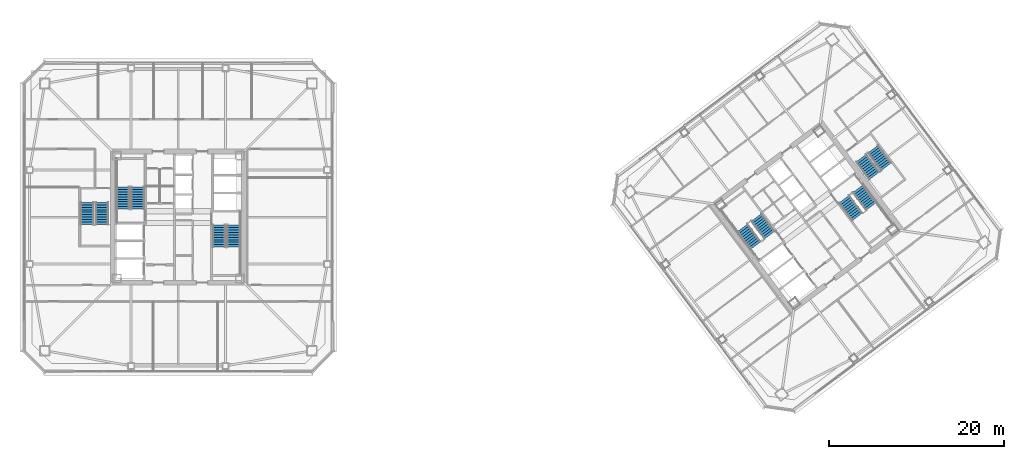
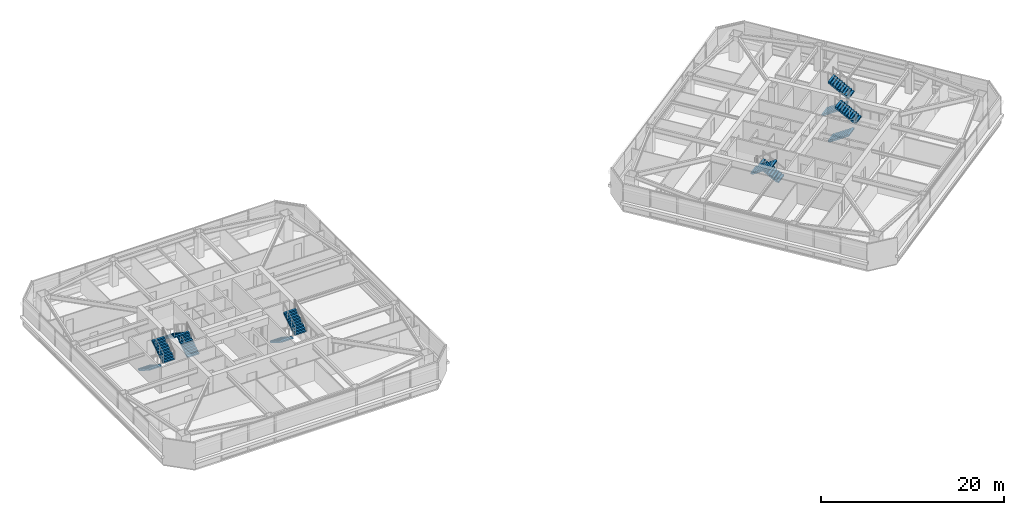
# One storey, part 37 of 43: 12 stair flights, 6 elements without a shape of their own.
"""IFC4 building model written with IfcOpenShell, lengths in metres."""

import ifcopenshell
import ifcopenshell.guid

model = None  # the IFC model being written
_history = None  # IfcOwnerHistory: only IFC2X3 demands one
_inside = {}  # id of a spatial element -> (the spatial element, [elements in it])
_under = {}  # id of a project, library or spatial element -> (it, [spatial elements below it])
_declared = {}  # id of a project -> (the project, [libraries it declares])
_typed = {}  # id of a type object -> (the type object, [elements of that type])
_made_of = {}  # id of a material, layer set ... -> (it, [elements and type objects made of it])


def new_model(schema):
    """Start an empty IFC model of exactly this schema.

    Asked for "IFC4X3", IfcOpenShell would pick the latest addendum, in which some entities
    have other attributes; the version numbers below select the first issue.
    IFC2X3 requires an IfcOwnerHistory on every rooted entity: one is made here for all.
    """
    global model, _history
    if schema == "IFC4X3":
        model = ifcopenshell.file(schema_version=(4, 3, 0, 0))
    else:
        model = ifcopenshell.file(schema=schema)
    _inside.clear()
    _under.clear()
    _declared.clear()
    _typed.clear()
    _made_of.clear()
    _history = None
    if model.schema == "IFC2X3":
        org = make("IfcOrganization", Name="unknown")
        user = make(
            "IfcPersonAndOrganization",
            ThePerson=make("IfcPerson", FamilyName="unknown"),
            TheOrganization=org,
        )
        app = make(
            "IfcApplication",
            ApplicationDeveloper=org,
            Version="unknown",
            ApplicationFullName="unknown",
            ApplicationIdentifier="unknown",
        )
        _history = make(
            "IfcOwnerHistory",
            OwningUser=user,
            OwningApplication=app,
            ChangeAction="ADDED",
            CreationDate=0,
        )
    return model


def make(cls, **values):
    """One entity of the class cls with the attributes given. An attribute that is None is left unset."""
    return model.create_entity(
        cls, **{name: value for name, value in values.items() if value is not None}
    )


def rooted(cls, **values):
    """An entity with a GlobalId (a new one), such as an element, a storey or a relation."""
    return make(cls, GlobalId=ifcopenshell.guid.new(), OwnerHistory=_history, **values)


def si_unit(unit_type, name, prefix=None):
    """IfcSIUnit, for example si_unit("LENGTHUNIT", "METRE", prefix="MILLI")."""
    return make("IfcSIUnit", UnitType=unit_type, Prefix=prefix, Name=name)


def assignment(units):
    """IfcUnitAssignment: the units of a project."""
    return None if units is None else make("IfcUnitAssignment", Units=units)


def point(xyz):
    """IfcCartesianPoint."""
    return None if xyz is None else make("IfcCartesianPoint", Coordinates=xyz)


def direction(xyz):
    """IfcDirection."""
    return None if xyz is None else make("IfcDirection", DirectionRatios=xyz)


def frame(location, z_axis=None, x_axis=None):
    """IfcAxis2Placement3D, a coordinate frame: its origin and axes. An axis left out is left unset."""
    return make(
        "IfcAxis2Placement3D",
        Location=point(location),
        Axis=direction(z_axis),
        RefDirection=direction(x_axis),
    )


def origin():
    """The frame at (0, 0, 0) with its axes left unset."""
    return frame((0.0, 0.0, 0.0))


def place(relative_to, where):
    """IfcLocalPlacement: puts the frame where relative to a parent placement (None: the world)."""
    return make(
        "IfcLocalPlacement", PlacementRelTo=relative_to, RelativePlacement=where
    )


def context(
    kind, dimensions, precision=None, world=None, true_north=None, identifier=None
):
    """IfcGeometricRepresentationContext, for example the 3D "Model" context."""
    return make(
        "IfcGeometricRepresentationContext",
        ContextIdentifier=identifier,
        ContextType=kind,
        CoordinateSpaceDimension=dimensions,
        Precision=precision,
        WorldCoordinateSystem=world,
        TrueNorth=true_north,
    )


def subcontext(parent, identifier, kind, view, scale=None):
    """IfcGeometricRepresentationSubContext, for example "Body" below "Model"."""
    return make(
        "IfcGeometricRepresentationSubContext",
        ContextIdentifier=identifier,
        ContextType=kind,
        ParentContext=parent,
        TargetScale=scale,
        TargetView=view,
    )


def project(units=None, contexts=None):
    """IfcProject with its units and contexts."""
    return rooted(
        "IfcProject",
        Name="project",
        RepresentationContexts=contexts,
        UnitsInContext=assignment(units),
    )


def spatial(cls, under=None, at=None, **own):
    """A site, building, storey or space (cls), placed at a placement, below another one or the project."""
    s = rooted(cls, ObjectPlacement=at, **own)
    if under is not None:
        _under.setdefault(under.id(), (under, []))[1].append(s)
    return s


def polyline(points):
    """IfcPolyline through the points."""
    return make("IfcPolyline", Points=[point(p) for p in points])


def outline(outer, holes=None, kind="AREA"):
    """IfcArbitraryClosedProfileDef: a profile drawn as a closed curve; with holes, ...WithVoids."""
    if holes is None:
        return make("IfcArbitraryClosedProfileDef", ProfileType=kind, OuterCurve=outer)
    return make(
        "IfcArbitraryProfileDefWithVoids",
        ProfileType=kind,
        OuterCurve=outer,
        InnerCurves=holes,
    )


def extrude(swept, where, along, depth):
    """IfcExtrudedAreaSolid: the profile swept, set in the frame where, extruded along a direction by depth."""
    return make(
        "IfcExtrudedAreaSolid",
        SweptArea=swept,
        Position=where,
        ExtrudedDirection=direction(along),
        Depth=depth,
    )


def shape(context_of_items, identifier, shape_type, items):
    """IfcShapeRepresentation: the items that make up one representation, for example the "Body"."""
    return make(
        "IfcShapeRepresentation",
        ContextOfItems=context_of_items,
        RepresentationIdentifier=identifier,
        RepresentationType=shape_type,
        Items=items,
    )


def material(Name=None, Category=None):
    """IfcMaterial."""
    return make("IfcMaterial", Name=Name, Category=Category)


def made_of(thing, what):
    """Note that an element or type object is made of a material, layer set ...; save() writes the relation."""
    if what is not None:
        _made_of.setdefault(what.id(), (what, []))[1].append(thing)
    return thing


def type_object(cls, material=None, **own):
    """A type object (cls), such as IfcWallType, which elements share."""
    return made_of(rooted(cls, **own), material)


def element(
    cls,
    number,
    at=None,
    inside=None,
    cuts=None,
    type_object=None,
    material=None,
    context=None,
    identifier="Body",
    shape_type=None,
    held_by="IfcProductDefinitionShape",
    body=None,
    shapes=None,
    **own,
):
    """One element of the class cls, such as IfcWall. Its Tag is "e" and its number.

    at: its placement. inside: the storey or other place that contains it. cuts: it is an
    opening in that element (IfcRelVoidsElement). A single representation is given by context,
    identifier, shape_type and body (its items); several are given by shapes. held_by: the class
    of the entity that holds the representations. save() writes the other relations.
    """
    e = rooted(cls, Tag="e%d" % number, ObjectPlacement=at, **own)
    if body is not None:
        shapes = [shape(context, identifier, shape_type, body)]
    if shapes is not None:
        e.Representation = make(held_by, Representations=shapes)
    if inside is not None:
        _inside.setdefault(inside.id(), (inside, []))[1].append(e)
    if cuts is not None:
        rooted(
            "IfcRelVoidsElement", RelatingBuildingElement=cuts, RelatedOpeningElement=e
        )
    if type_object is not None:
        _typed.setdefault(type_object.id(), (type_object, []))[1].append(e)
    return made_of(e, material)


def aggregate(whole, parts):
    """IfcRelAggregates: a whole, such as a stair, and the parts it consists of."""
    return rooted("IfcRelAggregates", RelatingObject=whole, RelatedObjects=parts)


def save(model, path):
    """Write the relations noted so far, then the file.

    IfcRelAggregates (storeys below a building ...), IfcRelContainedInSpatialStructure (elements
    in a storey), IfcRelDefinesByType, IfcRelAssociatesMaterial and IfcRelDeclares: one each for
    every whole, place, type object, material and project.
    """
    for whole, parts in _under.values():
        aggregate(whole, parts)
    for where, things in _inside.values():
        rooted(
            "IfcRelContainedInSpatialStructure",
            RelatedElements=things,
            RelatingStructure=where,
        )
    for kind, things in _typed.values():
        rooted("IfcRelDefinesByType", RelatedObjects=things, RelatingType=kind)
    for what, things in _made_of.values():
        rooted("IfcRelAssociatesMaterial", RelatedObjects=things, RelatingMaterial=what)
    for by, libraries in _declared.values():
        rooted("IfcRelDeclares", RelatingContext=by, RelatedDefinitions=libraries)
    model.write(path)


model = new_model("IFC4")

# Units and contexts
model_context = context("Model", 3, precision=1e-05, world=origin(), true_north=direction((0.0, 1.0)))
body_context = subcontext(model_context, "Body", "Model", "MODEL_VIEW")
ifc_project = project(units=[si_unit("LENGTHUNIT", "METRE"), si_unit("AREAUNIT", "SQUARE_METRE"), si_unit("VOLUMEUNIT", "CUBIC_METRE"), si_unit("PLANEANGLEUNIT", "RADIAN"), si_unit("MASSUNIT", "GRAM", prefix="KILO")], contexts=[model_context])

# Site, building, storey
site_placement = place(None, origin())
site = spatial("IfcSite", under=ifc_project, at=site_placement, CompositionType="ELEMENT")
building_placement = place(site_placement, origin())
building = spatial("IfcBuilding", under=site, at=building_placement, Name="Tashvorn Skyway Center", CompositionType="ELEMENT")
storey_placement = place(building_placement, frame((0.0, 0.0, 160.550048828125)))
storey = spatial("IfcBuildingStorey", under=building, at=storey_placement, Name="L43", CompositionType="ELEMENT", Elevation=160.550048828125)

# Stair, stair flights
ifc_material = material(Name="Concrete C40/50", Category="concrete")
stair_type = type_object("IfcStairType", Name="STAIR-CORE-1500", PredefinedType="HALF_TURN_STAIR", material=ifc_material)
stair_1_placement = place(storey_placement, origin())
stair_1 = element("IfcStair", 1, at=stair_1_placement, inside=storey, type_object=stair_type, Name="L43 Tower 1 Exit Stair 1", PredefinedType="HALF_TURN_STAIR")
stair_flight_type = type_object("IfcStairFlightType", Name="SFLIGHT-1500", PredefinedType="STRAIGHT", material=ifc_material)
stair_flight_1_placement = place(storey_placement, frame((37.35009765625, 32.919921875, 0.0), z_axis=(0.0, 0.0, 1.0), x_axis=(0.0, 1.0, 0.0)))
stair_flight_1 = element("IfcStairFlight", 2, at=stair_flight_1_placement, type_object=stair_flight_type, Name="ST-T1-1 flight 1", NumberOfRisers=10, NumberOfTreads=9, PredefinedType="STRAIGHT", RiserHeight=0.1775, TreadLength=0.28, context=body_context, shape_type="SweptSolid", body=[
    extrude(outline(polyline([(0.0, 0.0), (0.0, 0.177490234375), (0.280029296875, 0.177490234375), (0.280029296875, 0.35498046875), (0.56005859375, 0.35498046875), (0.56005859375, 0.532470703125), (0.840087890625, 0.532470703125), (0.840087890625, 0.7099609375), (1.1201171875, 0.7099609375), (1.1201171875, 0.887451171875), (1.39990234375, 0.887451171875), (1.39990234375, 1.06494140625), (1.679931640625, 1.06494140625), (1.679931640625, 1.242431640625), (1.9599609375, 1.242431640625), (1.9599609375, 1.419921875), (2.239990234375, 1.419921875), (2.239990234375, 1.597412109375), (2.52001953125, 1.597412109375), (2.52001953125, 1.77490234375), (2.52001953125, 1.419921875), (0.280029296875, 0.0), (0.0, 0.0)])), frame((0.0, 0.75, 0.0), z_axis=(0.0, -1.0, 0.0), x_axis=(1.0, 0.0, 0.0)), (0.0, 0.0, 1.0), 1.5),
])
stair_flight_2_placement = place(storey_placement, frame((35.64990234375, 35.43994140625, 1.77490234375), z_axis=(0.0, 0.0, 1.0), x_axis=(0.0, -1.0, 0.0)))
stair_flight_2 = element("IfcStairFlight", 3, at=stair_flight_2_placement, type_object=stair_flight_type, Name="ST-T1-1 flight 2", NumberOfRisers=10, NumberOfTreads=9, PredefinedType="STRAIGHT", RiserHeight=0.1775, TreadLength=0.28, context=body_context, shape_type="SweptSolid", body=[
    extrude(outline(polyline([(0.0, 0.0), (0.0, 0.177490234375), (0.280029296875, 0.177490234375), (0.280029296875, 0.35498046875), (0.56005859375, 0.35498046875), (0.56005859375, 0.532470703125), (0.840087890625, 0.532470703125), (0.840087890625, 0.7099609375), (1.1201171875, 0.7099609375), (1.1201171875, 0.887451171875), (1.39990234375, 0.887451171875), (1.39990234375, 1.06494140625), (1.679931640625, 1.06494140625), (1.679931640625, 1.242431640625), (1.9599609375, 1.242431640625), (1.9599609375, 1.419921875), (2.239990234375, 1.419921875), (2.239990234375, 1.597412109375), (2.52001953125, 1.597412109375), (2.52001953125, 1.77490234375), (2.52001953125, 1.419921875), (0.280029296875, 0.0), (0.0, 0.0)])), frame((0.0, 0.75, 0.0), z_axis=(0.0, -1.0, 0.0), x_axis=(1.0, 0.0, 0.0)), (0.0, 0.0, 1.0), 1.5),
])
aggregate(stair_1, [stair_flight_1, stair_flight_2])

stair_2_placement = place(storey_placement, origin())
stair_2 = element("IfcStair", 4, at=stair_2_placement, inside=storey, type_object=stair_type, Name="L43 Tower 1 Exit Stair 2", PredefinedType="HALF_TURN_STAIR")
stair_flight_3_placement = place(storey_placement, frame((46.64990234375, 31.080078125, 0.0), z_axis=(0.0, 0.0, 1.0), x_axis=(0.0, -1.0, 0.0)))
stair_flight_3 = element("IfcStairFlight", 5, at=stair_flight_3_placement, type_object=stair_flight_type, Name="ST-T1-2 flight 1", NumberOfRisers=10, NumberOfTreads=9, PredefinedType="STRAIGHT", RiserHeight=0.1775, TreadLength=0.28, context=body_context, shape_type="SweptSolid", body=[
    extrude(outline(polyline([(0.0, 0.0), (0.0, 0.177490234375), (0.280029296875, 0.177490234375), (0.280029296875, 0.35498046875), (0.56005859375, 0.35498046875), (0.56005859375, 0.532470703125), (0.840087890625, 0.532470703125), (0.840087890625, 0.7099609375), (1.1201171875, 0.7099609375), (1.1201171875, 0.887451171875), (1.39990234375, 0.887451171875), (1.39990234375, 1.06494140625), (1.679931640625, 1.06494140625), (1.679931640625, 1.242431640625), (1.9599609375, 1.242431640625), (1.9599609375, 1.419921875), (2.239990234375, 1.419921875), (2.239990234375, 1.597412109375), (2.52001953125, 1.597412109375), (2.52001953125, 1.77490234375), (2.52001953125, 1.419921875), (0.280029296875, 0.0), (0.0, 0.0)])), frame((0.0, 0.75, 0.0), z_axis=(0.0, -1.0, 0.0), x_axis=(1.0, 0.0, 0.0)), (0.0, 0.0, 1.0), 1.5),
])
stair_flight_4_placement = place(storey_placement, frame((48.35009765625, 28.56005859375, 1.77490234375), z_axis=(0.0, 0.0, 1.0), x_axis=(0.0, 1.0, 0.0)))
stair_flight_4 = element("IfcStairFlight", 6, at=stair_flight_4_placement, type_object=stair_flight_type, Name="ST-T1-2 flight 2", NumberOfRisers=10, NumberOfTreads=9, PredefinedType="STRAIGHT", RiserHeight=0.1775, TreadLength=0.28, context=body_context, shape_type="SweptSolid", body=[
    extrude(outline(polyline([(0.0, 0.0), (0.0, 0.177490234375), (0.280029296875, 0.177490234375), (0.280029296875, 0.35498046875), (0.56005859375, 0.35498046875), (0.56005859375, 0.532470703125), (0.840087890625, 0.532470703125), (0.840087890625, 0.7099609375), (1.1201171875, 0.7099609375), (1.1201171875, 0.887451171875), (1.39990234375, 0.887451171875), (1.39990234375, 1.06494140625), (1.679931640625, 1.06494140625), (1.679931640625, 1.242431640625), (1.9599609375, 1.242431640625), (1.9599609375, 1.419921875), (2.239990234375, 1.419921875), (2.239990234375, 1.597412109375), (2.52001953125, 1.597412109375), (2.52001953125, 1.77490234375), (2.52001953125, 1.419921875), (0.280029296875, 0.0), (0.0, 0.0)])), frame((0.0, 0.75, 0.0), z_axis=(0.0, -1.0, 0.0), x_axis=(1.0, 0.0, 0.0)), (0.0, 0.0, 1.0), 1.5),
])
aggregate(stair_2, [stair_flight_3, stair_flight_4])

stair_3_placement = place(storey_placement, origin())
stair_3 = element("IfcStair", 7, at=stair_3_placement, inside=storey, type_object=stair_type, Name="L43 Tower 2 Exit Stair 1", PredefinedType="HALF_TURN_STAIR")
stair_flight_5_placement = place(storey_placement, frame((109.72802734375, 29.946044921875, 0.0), z_axis=(0.0, 0.0, 1.0), x_axis=(-0.600000004945, 0.799999996291, 0.0)))
stair_flight_5 = element("IfcStairFlight", 8, at=stair_flight_5_placement, type_object=stair_flight_type, Name="ST-T2-1 flight 1", NumberOfRisers=10, NumberOfTreads=9, PredefinedType="STRAIGHT", RiserHeight=0.1775, TreadLength=0.28, context=body_context, shape_type="SweptSolid", body=[
    extrude(outline(polyline([(0.0, 0.0), (0.0, 0.177490234375), (0.280029296875, 0.177490234375), (0.280029296875, 0.35498046875), (0.56005859375, 0.35498046875), (0.56005859375, 0.532470703125), (0.840087890625, 0.532470703125), (0.840087890625, 0.7099609375), (1.1201171875, 0.7099609375), (1.1201171875, 0.887451171875), (1.39990234375, 0.887451171875), (1.39990234375, 1.06494140625), (1.679931640625, 1.06494140625), (1.679931640625, 1.242431640625), (1.9599609375, 1.242431640625), (1.9599609375, 1.419921875), (2.239990234375, 1.419921875), (2.239990234375, 1.597412109375), (2.52001953125, 1.597412109375), (2.52001953125, 1.77490234375), (2.52001953125, 1.419921875), (0.280029296875, 0.0), (0.0, 0.0)])), frame((0.0, 0.75, 0.0), z_axis=(0.0, -1.0, 0.0), x_axis=(1.0, 0.0, 0.0)), (0.0, 0.0, 1.0), 1.5),
])
stair_flight_6_placement = place(storey_placement, frame((106.632080078125, 30.77392578125, 1.77490234375), z_axis=(0.0, 0.0, 1.0), x_axis=(0.600000004945, -0.799999996291, 0.0)))
stair_flight_6 = element("IfcStairFlight", 9, at=stair_flight_6_placement, type_object=stair_flight_type, Name="ST-T2-1 flight 2", NumberOfRisers=10, NumberOfTreads=9, PredefinedType="STRAIGHT", RiserHeight=0.1775, TreadLength=0.28, context=body_context, shape_type="SweptSolid", body=[
    extrude(outline(polyline([(0.0, 0.0), (0.0, 0.177490234375), (0.280029296875, 0.177490234375), (0.280029296875, 0.35498046875), (0.56005859375, 0.35498046875), (0.56005859375, 0.532470703125), (0.840087890625, 0.532470703125), (0.840087890625, 0.7099609375), (1.1201171875, 0.7099609375), (1.1201171875, 0.887451171875), (1.39990234375, 0.887451171875), (1.39990234375, 1.06494140625), (1.679931640625, 1.06494140625), (1.679931640625, 1.242431640625), (1.9599609375, 1.242431640625), (1.9599609375, 1.419921875), (2.239990234375, 1.419921875), (2.239990234375, 1.597412109375), (2.52001953125, 1.597412109375), (2.52001953125, 1.77490234375), (2.52001953125, 1.419921875), (0.280029296875, 0.0), (0.0, 0.0)])), frame((0.0, 0.75, 0.0), z_axis=(0.0, -1.0, 0.0), x_axis=(1.0, 0.0, 0.0)), (0.0, 0.0, 1.0), 1.5),
])
aggregate(stair_3, [stair_flight_5, stair_flight_6])

stair_4_placement = place(storey_placement, origin())
stair_4 = element("IfcStair", 10, at=stair_4_placement, inside=storey, type_object=stair_type, Name="L43 Tower 2 Exit Stair 2", PredefinedType="HALF_TURN_STAIR")
stair_flight_7_placement = place(storey_placement, frame((118.27197265625, 34.053955078125, 0.0), z_axis=(0.0, 0.0, 1.0), x_axis=(0.600000004945, -0.799999996291, 0.0)))
stair_flight_7 = element("IfcStairFlight", 11, at=stair_flight_7_placement, type_object=stair_flight_type, Name="ST-T2-2 flight 1", NumberOfRisers=10, NumberOfTreads=9, PredefinedType="STRAIGHT", RiserHeight=0.1775, TreadLength=0.28, context=body_context, shape_type="SweptSolid", body=[
    extrude(outline(polyline([(0.0, 0.0), (0.0, 0.177490234375), (0.280029296875, 0.177490234375), (0.280029296875, 0.35498046875), (0.56005859375, 0.35498046875), (0.56005859375, 0.532470703125), (0.840087890625, 0.532470703125), (0.840087890625, 0.7099609375), (1.1201171875, 0.7099609375), (1.1201171875, 0.887451171875), (1.39990234375, 0.887451171875), (1.39990234375, 1.06494140625), (1.679931640625, 1.06494140625), (1.679931640625, 1.242431640625), (1.9599609375, 1.242431640625), (1.9599609375, 1.419921875), (2.239990234375, 1.419921875), (2.239990234375, 1.597412109375), (2.52001953125, 1.597412109375), (2.52001953125, 1.77490234375), (2.52001953125, 1.419921875), (0.280029296875, 0.0), (0.0, 0.0)])), frame((0.0, 0.75, 0.0), z_axis=(0.0, -1.0, 0.0), x_axis=(1.0, 0.0, 0.0)), (0.0, 0.0, 1.0), 1.5),
])
stair_flight_8_placement = place(storey_placement, frame((121.367919921875, 33.22607421875, 1.77490234375), z_axis=(0.0, 0.0, 1.0), x_axis=(-0.600000004945, 0.799999996291, 0.0)))
stair_flight_8 = element("IfcStairFlight", 12, at=stair_flight_8_placement, type_object=stair_flight_type, Name="ST-T2-2 flight 2", NumberOfRisers=10, NumberOfTreads=9, PredefinedType="STRAIGHT", RiserHeight=0.1775, TreadLength=0.28, context=body_context, shape_type="SweptSolid", body=[
    extrude(outline(polyline([(0.0, 0.0), (0.0, 0.177490234375), (0.280029296875, 0.177490234375), (0.280029296875, 0.35498046875), (0.56005859375, 0.35498046875), (0.56005859375, 0.532470703125), (0.840087890625, 0.532470703125), (0.840087890625, 0.7099609375), (1.1201171875, 0.7099609375), (1.1201171875, 0.887451171875), (1.39990234375, 0.887451171875), (1.39990234375, 1.06494140625), (1.679931640625, 1.06494140625), (1.679931640625, 1.242431640625), (1.9599609375, 1.242431640625), (1.9599609375, 1.419921875), (2.239990234375, 1.419921875), (2.239990234375, 1.597412109375), (2.52001953125, 1.597412109375), (2.52001953125, 1.77490234375), (2.52001953125, 1.419921875), (0.280029296875, 0.0), (0.0, 0.0)])), frame((0.0, 0.75, 0.0), z_axis=(0.0, -1.0, 0.0), x_axis=(1.0, 0.0, 0.0)), (0.0, 0.0, 1.0), 1.5),
])
aggregate(stair_4, [stair_flight_7, stair_flight_8])

stair_5_placement = place(storey_placement, origin())
stair_5 = element("IfcStair", 13, at=stair_5_placement, inside=storey, type_object=stair_type, Name="L43 Tower 1 Exit Stair 3", PredefinedType="HALF_TURN_STAIR")
stair_flight_9_placement = place(storey_placement, frame((31.550048828125, 33.679931640625, 0.0), z_axis=(0.0, 0.0, 1.0), x_axis=(0.0, -1.0, 0.0)))
stair_flight_9 = element("IfcStairFlight", 14, at=stair_flight_9_placement, type_object=stair_flight_type, Name="ST-T1-3 flight 1", NumberOfRisers=10, NumberOfTreads=9, PredefinedType="STRAIGHT", RiserHeight=0.1775, TreadLength=0.28, context=body_context, shape_type="SweptSolid", body=[
    extrude(outline(polyline([(0.0, 0.0), (0.0, 0.177490234375), (0.280029296875, 0.177490234375), (0.280029296875, 0.35498046875), (0.56005859375, 0.35498046875), (0.56005859375, 0.532470703125), (0.840087890625, 0.532470703125), (0.840087890625, 0.7099609375), (1.1201171875, 0.7099609375), (1.1201171875, 0.887451171875), (1.39990234375, 0.887451171875), (1.39990234375, 1.06494140625), (1.679931640625, 1.06494140625), (1.679931640625, 1.242431640625), (1.9599609375, 1.242431640625), (1.9599609375, 1.419921875), (2.239990234375, 1.419921875), (2.239990234375, 1.597412109375), (2.52001953125, 1.597412109375), (2.52001953125, 1.77490234375), (2.52001953125, 1.419921875), (0.280029296875, 0.0), (0.0, 0.0)])), frame((0.0, 0.75, 0.0), z_axis=(0.0, -1.0, 0.0), x_axis=(1.0, 0.0, 0.0)), (0.0, 0.0, 1.0), 1.5),
])
stair_flight_10_placement = place(storey_placement, frame((33.25, 31.159912109375, 1.77490234375), z_axis=(0.0, 0.0, 1.0), x_axis=(0.0, 1.0, 0.0)))
stair_flight_10 = element("IfcStairFlight", 15, at=stair_flight_10_placement, type_object=stair_flight_type, Name="ST-T1-3 flight 2", NumberOfRisers=10, NumberOfTreads=9, PredefinedType="STRAIGHT", RiserHeight=0.1775, TreadLength=0.28, context=body_context, shape_type="SweptSolid", body=[
    extrude(outline(polyline([(0.0, 0.0), (0.0, 0.177490234375), (0.280029296875, 0.177490234375), (0.280029296875, 0.35498046875), (0.56005859375, 0.35498046875), (0.56005859375, 0.532470703125), (0.840087890625, 0.532470703125), (0.840087890625, 0.7099609375), (1.1201171875, 0.7099609375), (1.1201171875, 0.887451171875), (1.39990234375, 0.887451171875), (1.39990234375, 1.06494140625), (1.679931640625, 1.06494140625), (1.679931640625, 1.242431640625), (1.9599609375, 1.242431640625), (1.9599609375, 1.419921875), (2.239990234375, 1.419921875), (2.239990234375, 1.597412109375), (2.52001953125, 1.597412109375), (2.52001953125, 1.77490234375), (2.52001953125, 1.419921875), (0.280029296875, 0.0), (0.0, 0.0)])), frame((0.0, 0.75, 0.0), z_axis=(0.0, -1.0, 0.0), x_axis=(1.0, 0.0, 0.0)), (0.0, 0.0, 1.0), 1.5),
])
aggregate(stair_5, [stair_flight_9, stair_flight_10])

stair_6_placement = place(storey_placement, origin())
stair_6 = element("IfcStair", 16, at=stair_6_placement, inside=storey, type_object=stair_type, Name="L43 Tower 2 Exit Stair 3", PredefinedType="HALF_TURN_STAIR")
stair_flight_11_placement = place(storey_placement, frame((120.216064453125, 38.761962890625, 0.0), z_axis=(0.0, 0.0, 1.0), x_axis=(0.600000004945, -0.799999996291, 0.0)))
stair_flight_11 = element("IfcStairFlight", 17, at=stair_flight_11_placement, type_object=stair_flight_type, Name="ST-T2-3 flight 1", NumberOfRisers=10, NumberOfTreads=9, PredefinedType="STRAIGHT", RiserHeight=0.1775, TreadLength=0.28, context=body_context, shape_type="SweptSolid", body=[
    extrude(outline(polyline([(0.0, 0.0), (0.0, 0.177490234375), (0.280029296875, 0.177490234375), (0.280029296875, 0.35498046875), (0.56005859375, 0.35498046875), (0.56005859375, 0.532470703125), (0.840087890625, 0.532470703125), (0.840087890625, 0.7099609375), (1.1201171875, 0.7099609375), (1.1201171875, 0.887451171875), (1.39990234375, 0.887451171875), (1.39990234375, 1.06494140625), (1.679931640625, 1.06494140625), (1.679931640625, 1.242431640625), (1.9599609375, 1.242431640625), (1.9599609375, 1.419921875), (2.239990234375, 1.419921875), (2.239990234375, 1.597412109375), (2.52001953125, 1.597412109375), (2.52001953125, 1.77490234375), (2.52001953125, 1.419921875), (0.280029296875, 0.0), (0.0, 0.0)])), frame((0.0, 0.75, 0.0), z_axis=(0.0, -1.0, 0.0), x_axis=(1.0, 0.0, 0.0)), (0.0, 0.0, 1.0), 1.5),
])
stair_flight_12_placement = place(storey_placement, frame((123.087890625, 37.76611328125, 1.77490234375), z_axis=(0.0, 0.0, 1.0), x_axis=(-0.600000004945, 0.799999996291, 0.0)))
stair_flight_12 = element("IfcStairFlight", 18, at=stair_flight_12_placement, type_object=stair_flight_type, Name="ST-T2-3 flight 2", NumberOfRisers=10, NumberOfTreads=9, PredefinedType="STRAIGHT", RiserHeight=0.1775, TreadLength=0.28, context=body_context, shape_type="SweptSolid", body=[
    extrude(outline(polyline([(0.0, 0.0), (0.0, 0.177490234375), (0.280029296875, 0.177490234375), (0.280029296875, 0.35498046875), (0.56005859375, 0.35498046875), (0.56005859375, 0.532470703125), (0.840087890625, 0.532470703125), (0.840087890625, 0.7099609375), (1.1201171875, 0.7099609375), (1.1201171875, 0.887451171875), (1.39990234375, 0.887451171875), (1.39990234375, 1.06494140625), (1.679931640625, 1.06494140625), (1.679931640625, 1.242431640625), (1.9599609375, 1.242431640625), (1.9599609375, 1.419921875), (2.239990234375, 1.419921875), (2.239990234375, 1.597412109375), (2.52001953125, 1.597412109375), (2.52001953125, 1.77490234375), (2.52001953125, 1.419921875), (0.280029296875, 0.0), (0.0, 0.0)])), frame((0.0, 0.75, 0.0), z_axis=(0.0, -1.0, 0.0), x_axis=(1.0, 0.0, 0.0)), (0.0, 0.0, 1.0), 1.5),
])
aggregate(stair_6, [stair_flight_11, stair_flight_12])

save(model, "model.ifc")
